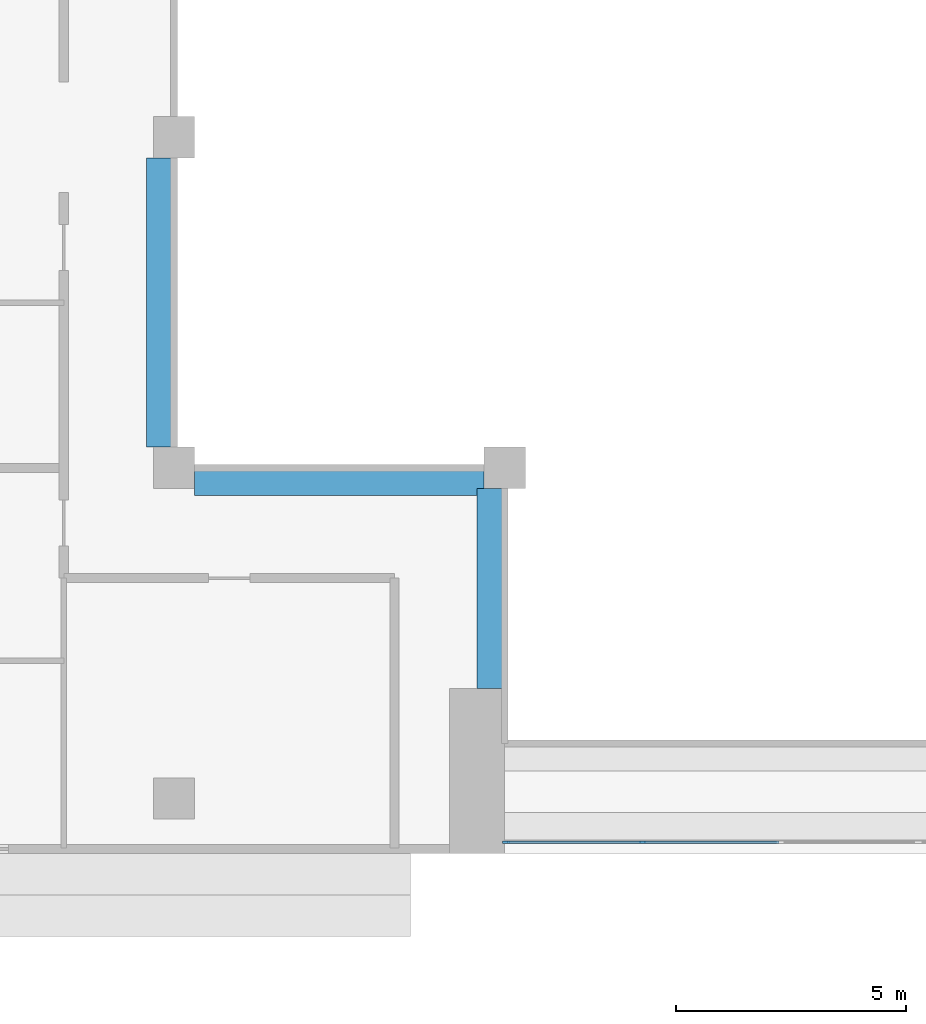
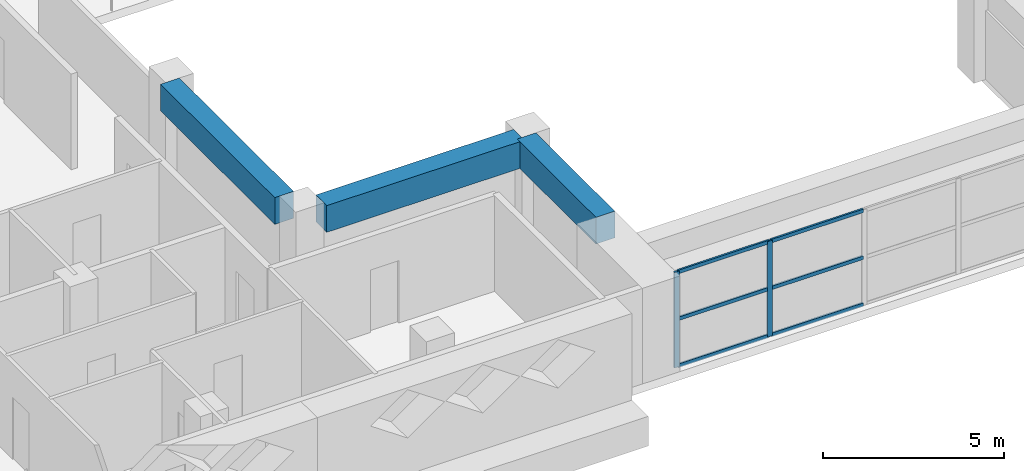
# One storey, part 2 of 19: 8 members, 3 beams, 1 element without a shape of its own.
"""IFC4 building model written with IfcOpenShell, lengths in metres."""

from ifc_helpers import new_model, si_unit, direction, frame, origin, origin_2d, place, context, subcontext, project, spatial, rectangle, extrude, source, transform, mapped, material, layer, layer_set, material_profile, profile_set, type_object, element, aggregate, save


model = new_model("IFC4")

# Units and contexts
model_context = context("Model", 3, precision=1e-05, world=origin(), true_north=direction((0.0, 1.0)))
body_context = subcontext(model_context, "Body", "Model", "MODEL_VIEW")
ifc_project = project(units=[si_unit("LENGTHUNIT", "METRE"), si_unit("AREAUNIT", "SQUARE_METRE"), si_unit("VOLUMEUNIT", "CUBIC_METRE"), si_unit("PLANEANGLEUNIT", "RADIAN"), si_unit("MASSUNIT", "GRAM", prefix="KILO")], contexts=[model_context])

# Site, building, storey
site_placement = place(None, origin())
site = spatial("IfcSite", under=ifc_project, at=site_placement, CompositionType="ELEMENT")
building_placement = place(site_placement, origin())
building = spatial("IfcBuilding", under=site, at=building_placement, Name="Saffron Iwan Residences", CompositionType="ELEMENT")
storey_placement = place(building_placement, frame((0.0, 0.0, 215.0)))
storey = spatial("IfcBuildingStorey", under=building, at=storey_placement, Name="L57", CompositionType="ELEMENT", Elevation=215.0)

# Beams
ifc_material_1 = material(Name="Concrete C40/50", Category="concrete")
ifc_material_profile_1 = material_profile(ifc_material_1, rectangle(XDim=0.60009765625, YDim=0.89990234375, at=origin_2d()), Name="RC 600x900")
ifc_profile_set_1 = profile_set([ifc_material_profile_1], Name="Concrete C40/50")
beam_type = type_object("IfcBeamType", Name="BEAM RC 600x900 C40/50 TOP 3220", PredefinedType="BEAM", material=ifc_profile_set_1)
shared_shape_1 = source(origin(), body_context, "Body", "SweptSolid", [
    extrude(rectangle(XDim=0.60009765625, YDim=0.89990234375, at=origin_2d()), origin(), (0.0, 0.0, 1.0), 4.35009765625),
])
beam_placement = place(storey_placement, frame((42.89990234375, 43.199951171875, 2.77001953125), z_axis=(0.0, 1.0, 0.0), x_axis=(-1.0, 0.0, 0.0)))
element("IfcBeam", 1, at=beam_placement, inside=storey, type_object=beam_type, Name="Atrium edge beam", PredefinedType="BEAM", context=body_context, shape_type="MappedRepresentation", body=[
    mapped(shared_shape_1, transform((0.0, 0.0, 0.0))),
])
shared_shape_2 = source(origin(), body_context, "Body", "SweptSolid", [
    extrude(rectangle(XDim=0.60009765625, YDim=0.89990234375, at=origin_2d()), origin(), (0.0, 0.0, 1.0), 6.300048828125),
])
for number, where, z_axis, x_axis, name in (
    (2, (42.75, 47.699951171875, 2.77001953125), (-1.0, 0.0, 0.0), (0.0, -1.0, 0.0), "Atrium edge beam"),
    (3, (35.699951171875, 48.449951171875, 2.77001953125), (0.0, 1.0, 0.0), (-1.0, 0.0, 0.0), "Atrium edge beam"),
):
    element("IfcBeam", number, at=place(storey_placement, frame(where, z_axis=z_axis, x_axis=x_axis)), inside=storey, type_object=beam_type, Name=name, PredefinedType="BEAM", context=body_context, shape_type="MappedRepresentation", body=[
        mapped(shared_shape_2, transform((0.0, 0.0, 0.0))),
    ])

# Curtain wall, members
ifc_material_2 = material(Name="Clear glass, laminated double glazed", Category="glass")
ifc_layer = layer(ifc_material_2, 0.199951171875)
ifc_layer_set = layer_set([ifc_layer], Name="Clear glass, laminated double glazed")
curtain_wall_type = type_object("IfcCurtainWallType", Name="CW-B IWAN PORTAL", PredefinedType="NOTDEFINED", material=ifc_layer_set)
curtain_wall_placement = place(storey_placement, origin())
curtain_wall = element("IfcCurtainWall", 4, at=curtain_wall_placement, inside=storey, type_object=curtain_wall_type, Name="Iwan portal glazing L57.1", PredefinedType="NOTDEFINED")
ifc_material_3 = material(Name="Aluminium 6063-T6", Category="aluminium")
ifc_material_profile_2 = material_profile(ifc_material_3, rectangle(XDim=0.06005859375, YDim=0.1201171875, at=origin_2d()), Name="CW-B TRANSOM 60 x 120")
ifc_profile_set_2 = profile_set([ifc_material_profile_2], Name="Aluminium 6063-T6")
member_type_1 = type_object("IfcMemberType", Name="CW-B TRANSOM 60 x 120", PredefinedType="USERDEFINED", material=ifc_profile_set_2)
shared_shape_3 = source(origin(), body_context, "Body", "SweptSolid", [
    extrude(rectangle(XDim=0.06005859375, YDim=0.1201171875, at=origin_2d()), origin(), (0.0, 0.0, 1.0), 2.909912109375),
])
member_1_placement = place(storey_placement, frame((43.260009765625, 39.85009765625, 0.030029296875), z_axis=(1.0, 0.0, 0.0), x_axis=(0.0, 1.0, 0.0)))
member_1 = element("IfcMember", 5, at=member_1_placement, type_object=member_type_1, Name="CW-B transom 1.1", ObjectType="TRANSOM", PredefinedType="USERDEFINED", context=body_context, shape_type="MappedRepresentation", body=[
    mapped(shared_shape_3, transform((0.0, 0.0, 0.0))),
])
member_2_placement = place(storey_placement, frame((43.260009765625, 39.85009765625, 1.610107421875), z_axis=(1.0, 0.0, 0.0), x_axis=(0.0, 1.0, 0.0)))
member_2 = element("IfcMember", 6, at=member_2_placement, type_object=member_type_1, Name="CW-B transom 1.2", ObjectType="TRANSOM", PredefinedType="USERDEFINED", context=body_context, shape_type="MappedRepresentation", body=[
    mapped(shared_shape_3, transform((0.0, 0.0, 0.0))),
])
member_3_placement = place(storey_placement, frame((43.260009765625, 39.85009765625, 3.18994140625), z_axis=(1.0, 0.0, 0.0), x_axis=(0.0, 1.0, 0.0)))
member_3 = element("IfcMember", 7, at=member_3_placement, type_object=member_type_1, Name="CW-B transom 1.3", ObjectType="TRANSOM", PredefinedType="USERDEFINED", context=body_context, shape_type="MappedRepresentation", body=[
    mapped(shared_shape_3, transform((0.0, 0.0, 0.0))),
])
shared_shape_4 = source(origin(), body_context, "Body", "SweptSolid", [
    extrude(rectangle(XDim=0.06005859375, YDim=0.1201171875, at=origin_2d()), origin(), (0.0, 0.0, 1.0), 2.93994140625),
])
member_4_placement = place(storey_placement, frame((46.22998046875, 39.85009765625, 0.030029296875), z_axis=(1.0, 0.0, 0.0), x_axis=(0.0, 1.0, 0.0)))
member_4 = element("IfcMember", 8, at=member_4_placement, type_object=member_type_1, Name="CW-B transom 2.1", ObjectType="TRANSOM", PredefinedType="USERDEFINED", context=body_context, shape_type="MappedRepresentation", body=[
    mapped(shared_shape_4, transform((0.0, 0.0, 0.0))),
])
member_5_placement = place(storey_placement, frame((46.22998046875, 39.85009765625, 1.610107421875), z_axis=(1.0, 0.0, 0.0), x_axis=(0.0, 1.0, 0.0)))
member_5 = element("IfcMember", 9, at=member_5_placement, type_object=member_type_1, Name="CW-B transom 2.2", ObjectType="TRANSOM", PredefinedType="USERDEFINED", context=body_context, shape_type="MappedRepresentation", body=[
    mapped(shared_shape_4, transform((0.0, 0.0, 0.0))),
])
member_6_placement = place(storey_placement, frame((46.22998046875, 39.85009765625, 3.18994140625), z_axis=(1.0, 0.0, 0.0), x_axis=(0.0, 1.0, 0.0)))
member_6 = element("IfcMember", 10, at=member_6_placement, type_object=member_type_1, Name="CW-B transom 2.3", ObjectType="TRANSOM", PredefinedType="USERDEFINED", context=body_context, shape_type="MappedRepresentation", body=[
    mapped(shared_shape_4, transform((0.0, 0.0, 0.0))),
])
ifc_material_profile_3 = material_profile(ifc_material_3, rectangle(XDim=0.06005859375, YDim=0.159912109375, at=origin_2d()), Name="CW-B MULLION 60 x 160")
ifc_profile_set_3 = profile_set([ifc_material_profile_3], Name="Aluminium 6063-T6")
member_type_2 = type_object("IfcMemberType", Name="CW-B MULLION 60 x 160", PredefinedType="MULLION", material=ifc_profile_set_3)
shared_shape_5 = source(origin(), body_context, "Body", "SweptSolid", [
    extrude(rectangle(XDim=0.06005859375, YDim=0.159912109375, at=origin_2d()), origin(), (0.0, 0.0, 1.0), 3.219970703125),
])
member_7_placement = place(storey_placement, frame((43.22998046875, 39.85009765625, 0.0), z_axis=(0.0, 0.0, 1.0), x_axis=(0.0, 1.0, 0.0)))
member_7 = element("IfcMember", 11, at=member_7_placement, type_object=member_type_2, Name="CW-B mullion 1", PredefinedType="MULLION", context=body_context, shape_type="MappedRepresentation", body=[
    mapped(shared_shape_5, transform((0.0, 0.0, 0.0))),
])
member_8_placement = place(storey_placement, frame((46.199951171875, 39.85009765625, 0.0), z_axis=(0.0, 0.0, 1.0), x_axis=(0.0, 1.0, 0.0)))
member_8 = element("IfcMember", 12, at=member_8_placement, type_object=member_type_2, Name="CW-B mullion 2", PredefinedType="MULLION", context=body_context, shape_type="MappedRepresentation", body=[
    mapped(shared_shape_5, transform((0.0, 0.0, 0.0))),
])
aggregate(curtain_wall, [member_7, member_8, member_1, member_2, member_3, member_4, member_5, member_6])

save(model, "model.ifc")
